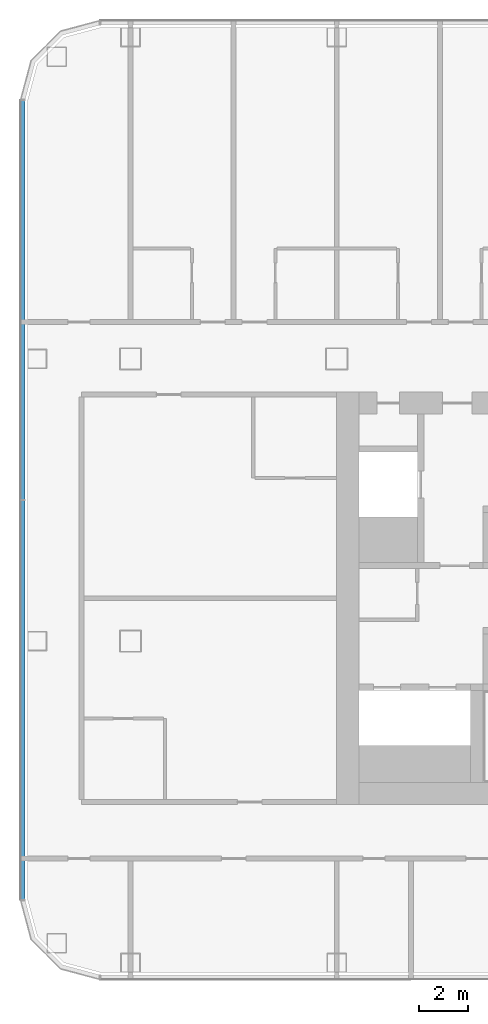
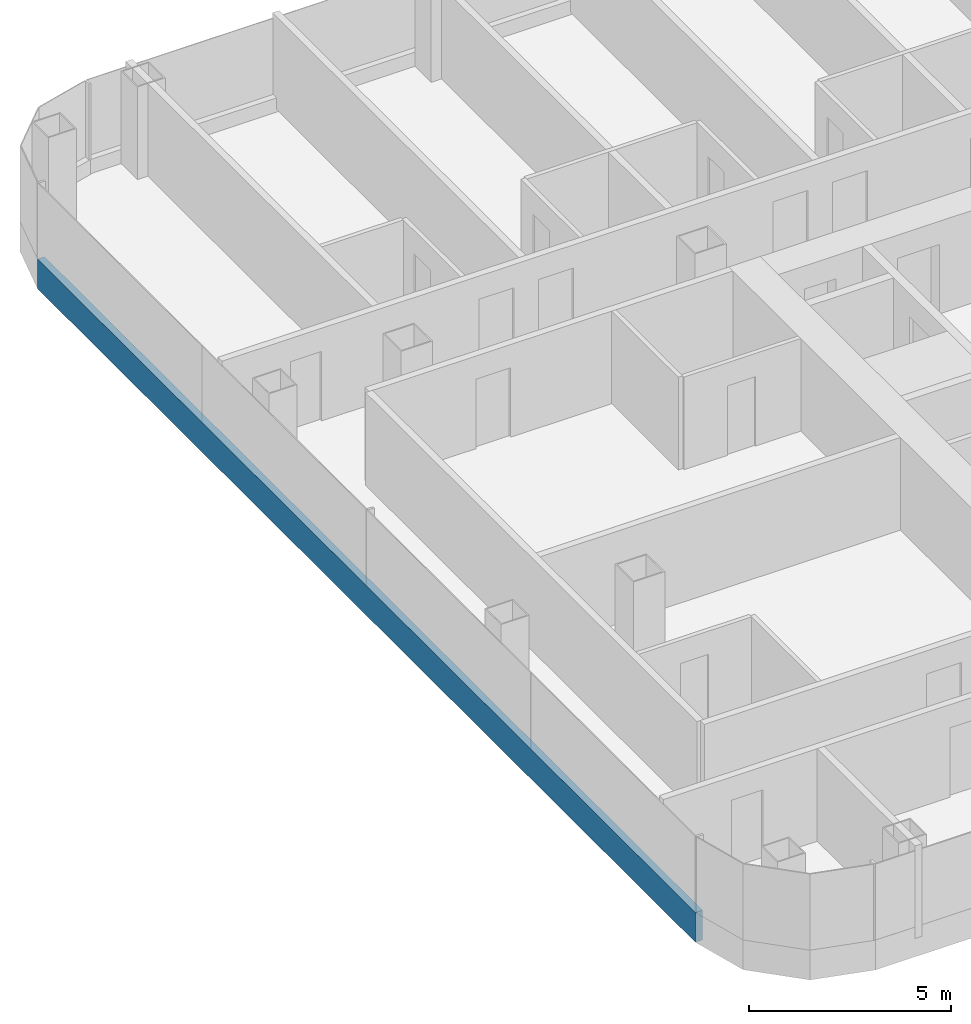
# One storey, part 3 of 29: 1 member, 1 element without a shape of its own.
"""IFC4 building model written with IfcOpenShell, lengths in metres."""

from ifc_helpers import new_model, si_unit, direction, frame, origin, origin_2d, place, context, subcontext, project, spatial, rectangle, extrude, material, layer, layer_set, material_profile, profile_set, type_object, element, aggregate, save


model = new_model("IFC4")

# Units and contexts
model_context = context("Model", 3, precision=1e-05, world=origin(), true_north=direction((0.0, 1.0)))
body_context = subcontext(model_context, "Body", "Model", "MODEL_VIEW")
ifc_project = project(units=[si_unit("LENGTHUNIT", "METRE"), si_unit("AREAUNIT", "SQUARE_METRE"), si_unit("VOLUMEUNIT", "CUBIC_METRE"), si_unit("PLANEANGLEUNIT", "RADIAN"), si_unit("MASSUNIT", "GRAM", prefix="KILO")], contexts=[model_context])

# Site, building, storey
site_placement = place(None, origin())
site = spatial("IfcSite", under=ifc_project, at=site_placement, CompositionType="ELEMENT")
building_placement = place(site_placement, origin())
building = spatial("IfcBuilding", under=site, at=building_placement, Name="Hakoniwa Tower and Hamabe Station Hall", CompositionType="ELEMENT")
storey_placement = place(building_placement, frame((0.0, 0.0, 110.60009765625)))
storey = spatial("IfcBuildingStorey", under=building, at=storey_placement, Name="L31", CompositionType="ELEMENT", Elevation=110.60009765625)

# Curtain wall, member
ifc_material_1 = material(Name="Dark low-e laminated glass", Category="glass")
ifc_layer = layer(ifc_material_1, 0.199951171875)
ifc_layer_set = layer_set([ifc_layer], Name="CW-1 UNITISED GUEST")
curtain_wall_type = type_object("IfcCurtainWallType", Name="CW-1 UNITISED GUEST", PredefinedType="NOTDEFINED", material=ifc_layer_set)
curtain_wall_placement = place(storey_placement, origin())
curtain_wall = element("IfcCurtainWall", 1, at=curtain_wall_placement, inside=storey, type_object=curtain_wall_type, Name="CW-1 curtain wall", PredefinedType="NOTDEFINED")
ifc_material_2 = material(Name="Aluminium 6063-T5 black anodised", Category="aluminium")
ifc_material_profile = material_profile(ifc_material_2, rectangle(XDim=0.199951171875, YDim=0.89990234375, at=origin_2d()), Name="CW SLAB-EDGE BAND 900X200")
ifc_profile_set = profile_set([ifc_material_profile], Name="Aluminium 6063-T5 black anodised")
member_type = type_object("IfcMemberType", Name="CW SLAB-EDGE BAND 900X200", PredefinedType="USERDEFINED", material=ifc_profile_set)
member_placement = place(storey_placement, frame((-46.39990234375, 20.28955078125, -0.10009765625), z_axis=(0.0, -1.0, 0.0), x_axis=(1.0, 0.0, 0.0)))
member = element("IfcMember", 2, at=member_placement, type_object=member_type, Name="CW-1 transom", ObjectType="TRANSOM", PredefinedType="USERDEFINED", context=body_context, shape_type="SweptSolid", body=[
    extrude(rectangle(XDim=0.199951171875, YDim=0.89990234375, at=origin_2d()), origin(), (0.0, 0.0, 1.0), 32.5791015625),
])
aggregate(curtain_wall, [member])

save(model, "model.ifc")
